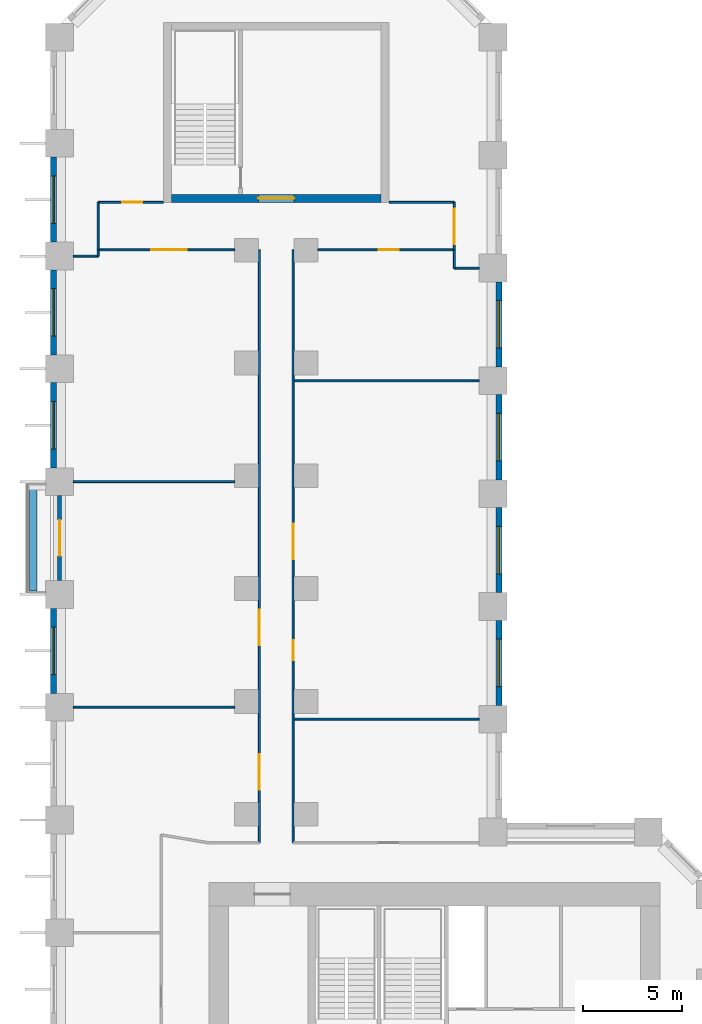
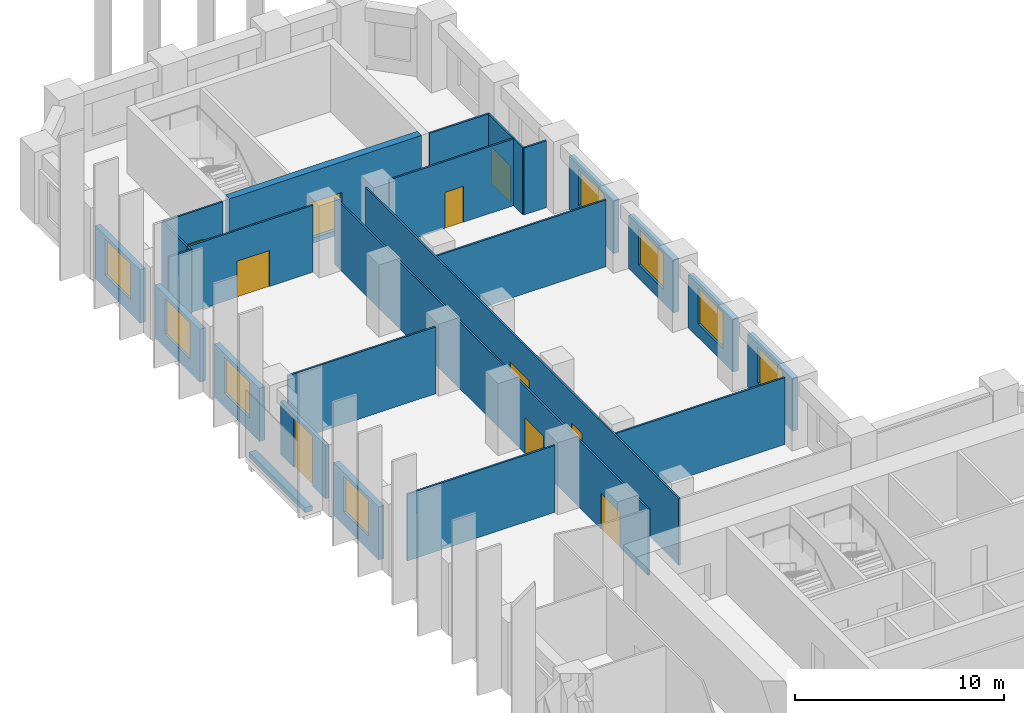
# One storey, part 9 of 12: 27 walls, 10 doors, 8 windows, 18 openings.
"""IFC4 building model written with IfcOpenShell, lengths in metres."""

from ifc_helpers import new_model, si_unit, direction, frame, frame_2d, origin, place, context, subcontext, project, spatial, rectangle, extrude, material, layer, layer_set, type_object, element, fill, save


model = new_model("IFC4")

# Units and contexts
model_context = context("Model", 3, precision=1e-05, world=origin(), true_north=direction((0.0, 1.0)))
body_context = subcontext(model_context, "Body", "Model", "MODEL_VIEW")
ifc_project = project(units=[si_unit("LENGTHUNIT", "METRE"), si_unit("AREAUNIT", "SQUARE_METRE"), si_unit("VOLUMEUNIT", "CUBIC_METRE"), si_unit("PLANEANGLEUNIT", "RADIAN"), si_unit("MASSUNIT", "GRAM", prefix="KILO")], contexts=[model_context])

# Site, building, storey
site_placement = place(None, origin())
site = spatial("IfcSite", under=ifc_project, at=site_placement, CompositionType="ELEMENT")
building_placement = place(site_placement, origin())
building = spatial("IfcBuilding", under=site, at=building_placement, Name="Meshkara Civic Tower", CompositionType="ELEMENT")
storey_placement = place(building_placement, frame((0.0, 0.0, 83.39990234375)))
storey = spatial("IfcBuildingStorey", under=building, at=storey_placement, Name="L18", CompositionType="ELEMENT", Elevation=83.39990234375)

# Wall, opening, door
ifc_material_1 = material(Name="Corridor wall 100")
ifc_layer_1 = layer(ifc_material_1, 0.10009765625)
ifc_layer_set_1 = layer_set([ifc_layer_1], Name="Corridor wall 100")
wall_type_1 = type_object("IfcWallType", Name="Corridor wall 100", PredefinedType="PARTITIONING", material=ifc_layer_set_1)
wall_1_placement = place(storey_placement, frame((2.39990234375, 68.8701171875, 0.0), z_axis=(0.0, 0.0, 1.0), x_axis=(1.0, 0.0, 0.0)))
wall_1 = element("IfcWall", 1, at=wall_1_placement, inside=storey, type_object=wall_type_1, Name="L18-W001", PredefinedType="PARTITIONING", context=body_context, shape_type="SweptSolid", body=[
    extrude(rectangle(XDim=6.900146484375, YDim=0.10009765625, at=frame_2d((3.4501953125, 0.0))), origin(), (0.0, 0.0, 1.0), 3.900146484375),
])
opening_1_placement = place(wall_1_placement, frame((2.679931640625, 0.0, 0.0)))
opening_1 = element("IfcOpeningElement", 2, at=opening_1_placement, cuts=wall_1, Name="Opening L18-D026", PredefinedType="OPENING", context=body_context, shape_type="SweptSolid", body=[
    extrude(rectangle(XDim=1.800048828125, YDim=2.10009765625, at=frame_2d((0.89990234375, 1.050048828125))), frame((0.0, 0.06005859375, 0.0), z_axis=(0.0, -1.0, 0.0), x_axis=(1.0, 0.0, 0.0)), (0.0, 0.0, 1.0), 0.1201171875),
])
ifc_material_2 = material(Name="Door pair 1800 x 2100")
door_type_1 = type_object("IfcDoorType", Name="Door pair 1800 x 2100", OperationType="SINGLE_SWING_LEFT", PredefinedType="DOOR", material=ifc_material_2)
door_1_placement = place(opening_1_placement, origin())
door_1 = element("IfcDoor", 3, at=door_1_placement, inside=storey, type_object=door_type_1, Name="L18-D026", OperationType="DOUBLE_DOOR_SINGLE_SWING", OverallHeight=2.10009765625, OverallWidth=1.800048828125, PredefinedType="DOOR", context=body_context, shape_type="SweptSolid", body=[
    extrude(rectangle(XDim=1.800048828125, YDim=2.10009765625, at=frame_2d((0.89990234375, 1.050048828125))), frame((0.0, 0.02490234375, 0.0), z_axis=(0.0, -1.0, 0.0), x_axis=(1.0, 0.0, 0.0)), (0.0, 0.0, 1.0), 0.050048828125),
])
fill(opening_1, door_1)

# Wall
wall_2_placement = place(storey_placement, frame((2.39990234375, 71.27001953125, 0.0), z_axis=(0.0, 0.0, 1.0), x_axis=(0.0, -1.0, 0.0)))
element("IfcWall", 4, at=wall_2_placement, inside=storey, type_object=wall_type_1, Name="L18-W002", PredefinedType="PARTITIONING", context=body_context, shape_type="SweptSolid", body=[
    extrude(rectangle(XDim=2.39990234375, YDim=0.10009765625, at=frame_2d((1.199951171875, 0.0))), origin(), (0.0, 0.0, 1.0), 3.900146484375),
])

# Wall, opening, door
wall_3_placement = place(storey_placement, frame((5.699951171875, 71.27001953125, 0.0), z_axis=(0.0, 0.0, 1.0), x_axis=(-1.0, 0.0, 0.0)))
wall_3 = element("IfcWall", 5, at=wall_3_placement, inside=storey, type_object=wall_type_1, Name="L18-W005", PredefinedType="PARTITIONING", context=body_context, shape_type="SweptSolid", body=[
    extrude(rectangle(XDim=3.300048828125, YDim=0.10009765625, at=frame_2d((1.64990234375, 0.0))), origin(), (0.0, 0.0, 1.0), 3.900146484375),
])
opening_2_placement = place(wall_3_placement, frame((1.080078125, 0.0, 0.0)))
opening_2 = element("IfcOpeningElement", 6, at=opening_2_placement, cuts=wall_3, Name="Opening L18-D025", PredefinedType="OPENING", context=body_context, shape_type="SweptSolid", body=[
    extrude(rectangle(XDim=1.0, YDim=2.10009765625, at=frame_2d((0.5, 1.050048828125))), frame((0.0, 0.06005859375, 0.0), z_axis=(0.0, -1.0, 0.0), x_axis=(1.0, 0.0, 0.0)), (0.0, 0.0, 1.0), 0.1201171875),
])
ifc_material_3 = material(Name="Door 1000 x 2100")
door_type_2 = type_object("IfcDoorType", Name="Door 1000 x 2100", OperationType="SINGLE_SWING_LEFT", PredefinedType="DOOR", material=ifc_material_3)
door_2_placement = place(opening_2_placement, origin())
door_2 = element("IfcDoor", 7, at=door_2_placement, inside=storey, type_object=door_type_2, Name="L18-D025", OperationType="SINGLE_SWING_RIGHT", OverallHeight=2.10009765625, OverallWidth=1.0, PredefinedType="DOOR", context=body_context, shape_type="SweptSolid", body=[
    extrude(rectangle(XDim=1.0, YDim=2.10009765625, at=frame_2d((0.5, 1.050048828125))), frame((0.0, 0.02490234375, 0.0), z_axis=(0.0, -1.0, 0.0), x_axis=(1.0, 0.0, 0.0)), (0.0, 0.0, 1.0), 0.050048828125),
])
fill(opening_2, door_2)

# Wall, openings, doors
wall_4_placement = place(storey_placement, frame((10.550048828125, 68.8701171875, 0.0), z_axis=(0.0, 0.0, 1.0), x_axis=(0.0, -1.0, 0.0)))
wall_4 = element("IfcWall", 8, at=wall_4_placement, inside=storey, type_object=wall_type_1, Name="L18-W013", PredefinedType="PARTITIONING", context=body_context, shape_type="SweptSolid", body=[
    extrude(rectangle(XDim=29.97021484375, YDim=0.10009765625, at=frame_2d((14.985107421875, 0.0))), origin(), (0.0, 0.0, 1.0), 3.900146484375),
])
opening_3_placement = place(wall_4_placement, frame((25.4951171875, 0.0, 0.0)))
opening_3 = element("IfcOpeningElement", 9, at=opening_3_placement, cuts=wall_4, Name="Opening L18-D021", PredefinedType="OPENING", context=body_context, shape_type="SweptSolid", body=[
    extrude(rectangle(XDim=1.800048828125, YDim=2.10009765625, at=frame_2d((0.89990234375, 1.050048828125))), frame((0.0, 0.06005859375, 0.0), z_axis=(0.0, -1.0, 0.0), x_axis=(1.0, 0.0, 0.0)), (0.0, 0.0, 1.0), 0.1201171875),
])
opening_4_placement = place(wall_4_placement, frame((18.195068359375, 0.0, 0.0)))
opening_4 = element("IfcOpeningElement", 10, at=opening_4_placement, cuts=wall_4, Name="Opening L18-D022", PredefinedType="OPENING", context=body_context, shape_type="SweptSolid", body=[
    extrude(rectangle(XDim=1.800048828125, YDim=2.10009765625, at=frame_2d((0.89990234375, 1.050048828125))), frame((0.0, 0.06005859375, 0.0), z_axis=(0.0, -1.0, 0.0), x_axis=(1.0, 0.0, 0.0)), (0.0, 0.0, 1.0), 0.1201171875),
])
door_3_placement = place(opening_3_placement, origin())
door_3 = element("IfcDoor", 11, at=door_3_placement, inside=storey, type_object=door_type_1, Name="L18-D021", OperationType="DOUBLE_DOOR_SINGLE_SWING", OverallHeight=2.10009765625, OverallWidth=1.800048828125, PredefinedType="DOOR", context=body_context, shape_type="SweptSolid", body=[
    extrude(rectangle(XDim=1.800048828125, YDim=2.10009765625, at=frame_2d((0.89990234375, 1.050048828125))), frame((0.0, 0.02490234375, 0.0), z_axis=(0.0, -1.0, 0.0), x_axis=(1.0, 0.0, 0.0)), (0.0, 0.0, 1.0), 0.050048828125),
])
fill(opening_3, door_3)
door_4_placement = place(opening_4_placement, origin())
door_4 = element("IfcDoor", 12, at=door_4_placement, inside=storey, type_object=door_type_1, Name="L18-D022", OperationType="DOUBLE_DOOR_SINGLE_SWING", OverallHeight=2.10009765625, OverallWidth=1.800048828125, PredefinedType="DOOR", context=body_context, shape_type="SweptSolid", body=[
    extrude(rectangle(XDim=1.800048828125, YDim=2.10009765625, at=frame_2d((0.89990234375, 1.050048828125))), frame((0.0, 0.02490234375, 0.0), z_axis=(0.0, -1.0, 0.0), x_axis=(1.0, 0.0, 0.0)), (0.0, 0.0, 1.0), 0.050048828125),
])
fill(opening_4, door_4)

wall_5_placement = place(storey_placement, frame((12.25, 38.89990234375, 0.0), z_axis=(0.0, 0.0, 1.0), x_axis=(0.0, 1.0, 0.0)))
wall_5 = element("IfcWall", 13, at=wall_5_placement, inside=storey, type_object=wall_type_1, Name="L18-W014", PredefinedType="PARTITIONING", context=body_context, shape_type="SweptSolid", body=[
    extrude(rectangle(XDim=29.97021484375, YDim=0.10009765625, at=frame_2d((14.985107421875, 0.0))), origin(), (0.0, 0.0, 1.0), 3.900146484375),
])
opening_5_placement = place(wall_5_placement, frame((9.22998046875, 0.0, 0.0)))
opening_5 = element("IfcOpeningElement", 14, at=opening_5_placement, cuts=wall_5, Name="Opening L18-D023", PredefinedType="OPENING", context=body_context, shape_type="SweptSolid", body=[
    extrude(rectangle(XDim=1.0, YDim=2.10009765625, at=frame_2d((0.5, 1.050048828125))), frame((0.0, 0.06005859375, 0.0), z_axis=(0.0, -1.0, 0.0), x_axis=(1.0, 0.0, 0.0)), (0.0, 0.0, 1.0), 0.1201171875),
])
opening_6_placement = place(wall_5_placement, frame((14.330078125, 0.0, 0.0)))
opening_6 = element("IfcOpeningElement", 15, at=opening_6_placement, cuts=wall_5, Name="Opening L18-D024", PredefinedType="OPENING", context=body_context, shape_type="SweptSolid", body=[
    extrude(rectangle(XDim=1.800048828125, YDim=2.10009765625, at=frame_2d((0.89990234375, 1.050048828125))), frame((0.0, 0.06005859375, 0.0), z_axis=(0.0, -1.0, 0.0), x_axis=(1.0, 0.0, 0.0)), (0.0, 0.0, 1.0), 0.1201171875),
])
door_5_placement = place(opening_5_placement, origin())
door_5 = element("IfcDoor", 16, at=door_5_placement, inside=storey, type_object=door_type_2, Name="L18-D023", OperationType="SINGLE_SWING_RIGHT", OverallHeight=2.10009765625, OverallWidth=1.0, PredefinedType="DOOR", context=body_context, shape_type="SweptSolid", body=[
    extrude(rectangle(XDim=1.0, YDim=2.10009765625, at=frame_2d((0.5, 1.050048828125))), frame((0.0, 0.02490234375, 0.0), z_axis=(0.0, -1.0, 0.0), x_axis=(1.0, 0.0, 0.0)), (0.0, 0.0, 1.0), 0.050048828125),
])
fill(opening_5, door_5)
door_6_placement = place(opening_6_placement, origin())
door_6 = element("IfcDoor", 17, at=door_6_placement, inside=storey, type_object=door_type_1, Name="L18-D024", OperationType="DOUBLE_DOOR_SINGLE_SWING", OverallHeight=2.10009765625, OverallWidth=1.800048828125, PredefinedType="DOOR", context=body_context, shape_type="SweptSolid", body=[
    extrude(rectangle(XDim=1.800048828125, YDim=2.10009765625, at=frame_2d((0.89990234375, 1.050048828125))), frame((0.0, 0.02490234375, 0.0), z_axis=(0.0, -1.0, 0.0), x_axis=(1.0, 0.0, 0.0)), (0.0, 0.0, 1.0), 0.050048828125),
])
fill(opening_6, door_6)

# Wall, opening, door
wall_6_placement = place(storey_placement, frame((13.5, 68.8701171875, 0.0), z_axis=(0.0, 0.0, 1.0), x_axis=(1.0, 0.0, 0.0)))
wall_6 = element("IfcWall", 18, at=wall_6_placement, inside=storey, type_object=wall_type_1, Name="L18-W016", PredefinedType="PARTITIONING", context=body_context, shape_type="SweptSolid", body=[
    extrude(rectangle(XDim=6.89990234375, YDim=0.10009765625, at=frame_2d((3.449951171875, 0.0))), origin(), (0.0, 0.0, 1.0), 3.900146484375),
])
opening_7_placement = place(wall_6_placement, frame((3.080078125, 0.0, 0.0)))
opening_7 = element("IfcOpeningElement", 19, at=opening_7_placement, cuts=wall_6, Name="Opening L18-D027", PredefinedType="OPENING", context=body_context, shape_type="SweptSolid", body=[
    extrude(rectangle(XDim=1.0, YDim=2.10009765625, at=frame_2d((0.5, 1.050048828125))), frame((0.0, 0.06005859375, 0.0), z_axis=(0.0, -1.0, 0.0), x_axis=(1.0, 0.0, 0.0)), (0.0, 0.0, 1.0), 0.1201171875),
])
door_7_placement = place(opening_7_placement, origin())
door_7 = element("IfcDoor", 20, at=door_7_placement, inside=storey, type_object=door_type_2, Name="L18-D027", OperationType="SINGLE_SWING_LEFT", OverallHeight=2.10009765625, OverallWidth=1.0, PredefinedType="DOOR", context=body_context, shape_type="SweptSolid", body=[
    extrude(rectangle(XDim=1.0, YDim=2.10009765625, at=frame_2d((0.5, 1.050048828125))), frame((0.0, 0.02490234375, 0.0), z_axis=(0.0, -1.0, 0.0), x_axis=(1.0, 0.0, 0.0)), (0.0, 0.0, 1.0), 0.050048828125),
])
fill(opening_7, door_7)

wall_7_placement = place(storey_placement, frame((20.39990234375, 68.8701171875, 0.0), z_axis=(0.0, 0.0, 1.0), x_axis=(0.0, 1.0, 0.0)))
wall_7 = element("IfcWall", 21, at=wall_7_placement, inside=storey, type_object=wall_type_1, Name="L18-W017", PredefinedType="PARTITIONING", context=body_context, shape_type="SweptSolid", body=[
    extrude(rectangle(XDim=2.39990234375, YDim=0.10009765625, at=frame_2d((1.199951171875, 0.0))), origin(), (0.0, 0.0, 1.0), 3.900146484375),
])
opening_8_placement = place(wall_7_placement, frame((0.280029296875, 0.0, 0.0)))
opening_8 = element("IfcOpeningElement", 22, at=opening_8_placement, cuts=wall_7, Name="Opening L18-D028", PredefinedType="OPENING", context=body_context, shape_type="SweptSolid", body=[
    extrude(rectangle(XDim=1.800048828125, YDim=2.10009765625, at=frame_2d((0.89990234375, 1.050048828125))), frame((0.0, 0.06005859375, 0.0), z_axis=(0.0, -1.0, 0.0), x_axis=(1.0, 0.0, 0.0)), (0.0, 0.0, 1.0), 0.1201171875),
])
door_8_placement = place(opening_8_placement, origin())
door_8 = element("IfcDoor", 23, at=door_8_placement, inside=storey, type_object=door_type_1, Name="L18-D028", OperationType="DOUBLE_DOOR_SINGLE_SWING", OverallHeight=2.10009765625, OverallWidth=1.800048828125, PredefinedType="DOOR", context=body_context, shape_type="SweptSolid", body=[
    extrude(rectangle(XDim=1.800048828125, YDim=2.10009765625, at=frame_2d((0.89990234375, 1.050048828125))), frame((0.0, 0.02490234375, 0.0), z_axis=(0.0, -1.0, 0.0), x_axis=(1.0, 0.0, 0.0)), (0.0, 0.0, 1.0), 0.050048828125),
])
fill(opening_8, door_8)

# Wall
wall_8_placement = place(storey_placement, frame((20.39990234375, 71.27001953125, 0.0), z_axis=(0.0, 0.0, 1.0), x_axis=(-1.0, 0.0, 0.0)))
element("IfcWall", 24, at=wall_8_placement, inside=storey, type_object=wall_type_1, Name="L18-W018", PredefinedType="PARTITIONING", context=body_context, shape_type="SweptSolid", body=[
    extrude(rectangle(XDim=3.2998046875, YDim=0.10009765625, at=frame_2d((1.64990234375, 0.0))), origin(), (0.0, 0.0, 1.0), 3.900146484375),
])

# Wall, opening, window
ifc_material_4 = material(Name="Insulated infill panel with bronze anodised aluminium cladding", Category="aluminium")
ifc_layer_2 = layer(ifc_material_4, 0.300048828125)
ifc_layer_set_2 = layer_set([ifc_layer_2], Name="EXTERNAL INFILL WALL 300")
wall_type_2 = type_object("IfcWallType", Name="EXTERNAL INFILL WALL 300", PredefinedType="SOLIDWALL", material=ifc_layer_set_2)
wall_9_placement = place(storey_placement, frame((22.64990234375, 45.85009765625, 0.0), z_axis=(0.0, 0.0, 1.0), x_axis=(0.0, 1.0, 0.0)))
wall_9 = element("IfcWall", 25, at=wall_9_placement, inside=storey, type_object=wall_type_2, Name="External wall", PredefinedType="SOLIDWALL", context=body_context, shape_type="SweptSolid", body=[
    extrude(rectangle(XDim=4.2998046875, YDim=0.300048828125, at=frame_2d((2.14990234375, 0.0))), origin(), (0.0, 0.0, 1.0), 3.10009765625),
])
opening_9_placement = place(wall_9_placement, frame((0.949951171875, 0.0, 0.800048828125)))
opening_9 = element("IfcOpeningElement", 26, at=opening_9_placement, cuts=wall_9, Name="Opening W7", PredefinedType="OPENING", context=body_context, shape_type="SweptSolid", body=[
    extrude(rectangle(XDim=2.39990234375, YDim=2.10009765625, at=frame_2d((1.199951171875, 1.050048828125))), frame((0.0, 0.159912109375, 0.0), z_axis=(0.0, -1.0, 0.0), x_axis=(1.0, 0.0, 0.0)), (0.0, 0.0, 1.0), 0.320068359375),
])
ifc_material_5 = material(Name="Tinted double glazing", Category="glass")
window_type = type_object("IfcWindowType", Name="WINDOW 2400x2100", PartitioningType="DOUBLE_PANEL_VERTICAL", PredefinedType="WINDOW", material=ifc_material_5)
window_1_placement = place(opening_9_placement, origin())
window_1 = element("IfcWindow", 27, at=window_1_placement, inside=storey, type_object=window_type, Name="Window", OverallHeight=2.10009765625, OverallWidth=2.39990234375, PartitioningType="DOUBLE_PANEL_VERTICAL", PredefinedType="WINDOW", context=body_context, shape_type="SweptSolid", body=[
    extrude(rectangle(XDim=2.39990234375, YDim=2.10009765625, at=frame_2d((1.199951171875, 1.050048828125))), frame((0.0, 0.030029296875, 0.0), z_axis=(0.0, -1.0, 0.0), x_axis=(1.0, 0.0, 0.0)), (0.0, 0.0, 1.0), 0.06005859375),
])
fill(opening_9, window_1)

wall_10_placement = place(storey_placement, frame((22.64990234375, 51.550048828125, 0.0), z_axis=(0.0, 0.0, 1.0), x_axis=(0.0, 1.0, 0.0)))
wall_10 = element("IfcWall", 28, at=wall_10_placement, inside=storey, type_object=wall_type_2, Name="External wall", PredefinedType="SOLIDWALL", context=body_context, shape_type="SweptSolid", body=[
    extrude(rectangle(XDim=4.300048828125, YDim=0.300048828125, at=frame_2d((2.14990234375, 0.0))), origin(), (0.0, 0.0, 1.0), 3.10009765625),
])
opening_10_placement = place(wall_10_placement, frame((0.949951171875, 0.0, 0.800048828125)))
opening_10 = element("IfcOpeningElement", 29, at=opening_10_placement, cuts=wall_10, Name="Opening W7", PredefinedType="OPENING", context=body_context, shape_type="SweptSolid", body=[
    extrude(rectangle(XDim=2.39990234375, YDim=2.10009765625, at=frame_2d((1.199951171875, 1.050048828125))), frame((0.0, 0.159912109375, 0.0), z_axis=(0.0, -1.0, 0.0), x_axis=(1.0, 0.0, 0.0)), (0.0, 0.0, 1.0), 0.320068359375),
])
window_2_placement = place(opening_10_placement, origin())
window_2 = element("IfcWindow", 30, at=window_2_placement, inside=storey, type_object=window_type, Name="Window", OverallHeight=2.10009765625, OverallWidth=2.39990234375, PartitioningType="DOUBLE_PANEL_VERTICAL", PredefinedType="WINDOW", context=body_context, shape_type="SweptSolid", body=[
    extrude(rectangle(XDim=2.39990234375, YDim=2.10009765625, at=frame_2d((1.199951171875, 1.050048828125))), frame((0.0, 0.030029296875, 0.0), z_axis=(0.0, -1.0, 0.0), x_axis=(1.0, 0.0, 0.0)), (0.0, 0.0, 1.0), 0.06005859375),
])
fill(opening_10, window_2)

wall_11_placement = place(storey_placement, frame((22.64990234375, 57.25, 0.0), z_axis=(0.0, 0.0, 1.0), x_axis=(0.0, 1.0, 0.0)))
wall_11 = element("IfcWall", 31, at=wall_11_placement, inside=storey, type_object=wall_type_2, Name="External wall", PredefinedType="SOLIDWALL", context=body_context, shape_type="SweptSolid", body=[
    extrude(rectangle(XDim=4.300048828125, YDim=0.300048828125, at=frame_2d((2.14990234375, 0.0))), origin(), (0.0, 0.0, 1.0), 3.10009765625),
])
opening_11_placement = place(wall_11_placement, frame((0.949951171875, 0.0, 0.800048828125)))
opening_11 = element("IfcOpeningElement", 32, at=opening_11_placement, cuts=wall_11, Name="Opening W7", PredefinedType="OPENING", context=body_context, shape_type="SweptSolid", body=[
    extrude(rectangle(XDim=2.39990234375, YDim=2.10009765625, at=frame_2d((1.199951171875, 1.050048828125))), frame((0.0, 0.159912109375, 0.0), z_axis=(0.0, -1.0, 0.0), x_axis=(1.0, 0.0, 0.0)), (0.0, 0.0, 1.0), 0.320068359375),
])
window_3_placement = place(opening_11_placement, origin())
window_3 = element("IfcWindow", 33, at=window_3_placement, inside=storey, type_object=window_type, Name="Window", OverallHeight=2.10009765625, OverallWidth=2.39990234375, PartitioningType="DOUBLE_PANEL_VERTICAL", PredefinedType="WINDOW", context=body_context, shape_type="SweptSolid", body=[
    extrude(rectangle(XDim=2.39990234375, YDim=2.10009765625, at=frame_2d((1.199951171875, 1.050048828125))), frame((0.0, 0.030029296875, 0.0), z_axis=(0.0, -1.0, 0.0), x_axis=(1.0, 0.0, 0.0)), (0.0, 0.0, 1.0), 0.06005859375),
])
fill(opening_11, window_3)

wall_12_placement = place(storey_placement, frame((22.64990234375, 62.949951171875, 0.0), z_axis=(0.0, 0.0, 1.0), x_axis=(0.0, 1.0, 0.0)))
wall_12 = element("IfcWall", 34, at=wall_12_placement, inside=storey, type_object=wall_type_2, Name="External wall", PredefinedType="SOLIDWALL", context=body_context, shape_type="SweptSolid", body=[
    extrude(rectangle(XDim=4.300048828125, YDim=0.300048828125, at=frame_2d((2.14990234375, 0.0))), origin(), (0.0, 0.0, 1.0), 3.10009765625),
])
opening_12_placement = place(wall_12_placement, frame((0.949951171875, 0.0, 0.800048828125)))
opening_12 = element("IfcOpeningElement", 35, at=opening_12_placement, cuts=wall_12, Name="Opening W7", PredefinedType="OPENING", context=body_context, shape_type="SweptSolid", body=[
    extrude(rectangle(XDim=2.39990234375, YDim=2.10009765625, at=frame_2d((1.199951171875, 1.050048828125))), frame((0.0, 0.159912109375, 0.0), z_axis=(0.0, -1.0, 0.0), x_axis=(1.0, 0.0, 0.0)), (0.0, 0.0, 1.0), 0.320068359375),
])
window_4_placement = place(opening_12_placement, origin())
window_4 = element("IfcWindow", 36, at=window_4_placement, inside=storey, type_object=window_type, Name="Window", OverallHeight=2.10009765625, OverallWidth=2.39990234375, PartitioningType="DOUBLE_PANEL_VERTICAL", PredefinedType="WINDOW", context=body_context, shape_type="SweptSolid", body=[
    extrude(rectangle(XDim=2.39990234375, YDim=2.10009765625, at=frame_2d((1.199951171875, 1.050048828125))), frame((0.0, 0.030029296875, 0.0), z_axis=(0.0, -1.0, 0.0), x_axis=(1.0, 0.0, 0.0)), (0.0, 0.0, 1.0), 0.06005859375),
])
fill(opening_12, window_4)

wall_13_placement = place(storey_placement, frame((0.14990234375, 73.554931640625, 0.0), z_axis=(0.0, 0.0, 1.0), x_axis=(0.0, -1.0, 0.0)))
wall_13 = element("IfcWall", 37, at=wall_13_placement, inside=storey, type_object=wall_type_2, Name="External wall", PredefinedType="SOLIDWALL", context=body_context, shape_type="SweptSolid", body=[
    extrude(rectangle(XDim=4.300048828125, YDim=0.300048828125, at=frame_2d((2.14990234375, 0.0))), origin(), (0.0, 0.0, 1.0), 3.10009765625),
])
opening_13_placement = place(wall_13_placement, frame((0.949951171875, 0.0, 0.800048828125)))
opening_13 = element("IfcOpeningElement", 38, at=opening_13_placement, cuts=wall_13, Name="Opening W7", PredefinedType="OPENING", context=body_context, shape_type="SweptSolid", body=[
    extrude(rectangle(XDim=2.39990234375, YDim=2.10009765625, at=frame_2d((1.199951171875, 1.050048828125))), frame((0.0, 0.159912109375, 0.0), z_axis=(0.0, -1.0, 0.0), x_axis=(1.0, 0.0, 0.0)), (0.0, 0.0, 1.0), 0.320068359375),
])
window_5_placement = place(opening_13_placement, origin())
window_5 = element("IfcWindow", 39, at=window_5_placement, inside=storey, type_object=window_type, Name="Window", OverallHeight=2.10009765625, OverallWidth=2.39990234375, PartitioningType="DOUBLE_PANEL_VERTICAL", PredefinedType="WINDOW", context=body_context, shape_type="SweptSolid", body=[
    extrude(rectangle(XDim=2.39990234375, YDim=2.10009765625, at=frame_2d((1.199951171875, 1.050048828125))), frame((0.0, 0.030029296875, 0.0), z_axis=(0.0, -1.0, 0.0), x_axis=(1.0, 0.0, 0.0)), (0.0, 0.0, 1.0), 0.06005859375),
])
fill(opening_13, window_5)

wall_14_placement = place(storey_placement, frame((0.14990234375, 67.85498046875, 0.0), z_axis=(0.0, 0.0, 1.0), x_axis=(0.0, -1.0, 0.0)))
wall_14 = element("IfcWall", 40, at=wall_14_placement, inside=storey, type_object=wall_type_2, Name="External wall", PredefinedType="SOLIDWALL", context=body_context, shape_type="SweptSolid", body=[
    extrude(rectangle(XDim=4.300048828125, YDim=0.300048828125, at=frame_2d((2.14990234375, 0.0))), origin(), (0.0, 0.0, 1.0), 3.10009765625),
])
opening_14_placement = place(wall_14_placement, frame((0.949951171875, 0.0, 0.800048828125)))
opening_14 = element("IfcOpeningElement", 41, at=opening_14_placement, cuts=wall_14, Name="Opening W7", PredefinedType="OPENING", context=body_context, shape_type="SweptSolid", body=[
    extrude(rectangle(XDim=2.39990234375, YDim=2.10009765625, at=frame_2d((1.199951171875, 1.050048828125))), frame((0.0, 0.159912109375, 0.0), z_axis=(0.0, -1.0, 0.0), x_axis=(1.0, 0.0, 0.0)), (0.0, 0.0, 1.0), 0.320068359375),
])
window_6_placement = place(opening_14_placement, origin())
window_6 = element("IfcWindow", 42, at=window_6_placement, inside=storey, type_object=window_type, Name="Window", OverallHeight=2.10009765625, OverallWidth=2.39990234375, PartitioningType="DOUBLE_PANEL_VERTICAL", PredefinedType="WINDOW", context=body_context, shape_type="SweptSolid", body=[
    extrude(rectangle(XDim=2.39990234375, YDim=2.10009765625, at=frame_2d((1.199951171875, 1.050048828125))), frame((0.0, 0.030029296875, 0.0), z_axis=(0.0, -1.0, 0.0), x_axis=(1.0, 0.0, 0.0)), (0.0, 0.0, 1.0), 0.06005859375),
])
fill(opening_14, window_6)

wall_15_placement = place(storey_placement, frame((0.14990234375, 62.155029296875, 0.0), z_axis=(0.0, 0.0, 1.0), x_axis=(0.0, -1.0, 0.0)))
wall_15 = element("IfcWall", 43, at=wall_15_placement, inside=storey, type_object=wall_type_2, Name="External wall", PredefinedType="SOLIDWALL", context=body_context, shape_type="SweptSolid", body=[
    extrude(rectangle(XDim=4.300048828125, YDim=0.300048828125, at=frame_2d((2.14990234375, 0.0))), origin(), (0.0, 0.0, 1.0), 3.10009765625),
])
opening_15_placement = place(wall_15_placement, frame((0.949951171875, 0.0, 0.800048828125)))
opening_15 = element("IfcOpeningElement", 44, at=opening_15_placement, cuts=wall_15, Name="Opening W7", PredefinedType="OPENING", context=body_context, shape_type="SweptSolid", body=[
    extrude(rectangle(XDim=2.39990234375, YDim=2.10009765625, at=frame_2d((1.199951171875, 1.050048828125))), frame((0.0, 0.159912109375, 0.0), z_axis=(0.0, -1.0, 0.0), x_axis=(1.0, 0.0, 0.0)), (0.0, 0.0, 1.0), 0.320068359375),
])
window_7_placement = place(opening_15_placement, origin())
window_7 = element("IfcWindow", 45, at=window_7_placement, inside=storey, type_object=window_type, Name="Window", OverallHeight=2.10009765625, OverallWidth=2.39990234375, PartitioningType="DOUBLE_PANEL_VERTICAL", PredefinedType="WINDOW", context=body_context, shape_type="SweptSolid", body=[
    extrude(rectangle(XDim=2.39990234375, YDim=2.10009765625, at=frame_2d((1.199951171875, 1.050048828125))), frame((0.0, 0.030029296875, 0.0), z_axis=(0.0, -1.0, 0.0), x_axis=(1.0, 0.0, 0.0)), (0.0, 0.0, 1.0), 0.06005859375),
])
fill(opening_15, window_7)

wall_16_placement = place(storey_placement, frame((0.14990234375, 50.7548828125, 0.0), z_axis=(0.0, 0.0, 1.0), x_axis=(0.0, -1.0, 0.0)))
wall_16 = element("IfcWall", 46, at=wall_16_placement, inside=storey, type_object=wall_type_2, Name="External wall", PredefinedType="SOLIDWALL", context=body_context, shape_type="SweptSolid", body=[
    extrude(rectangle(XDim=4.2998046875, YDim=0.300048828125, at=frame_2d((2.14990234375, 0.0))), origin(), (0.0, 0.0, 1.0), 3.10009765625),
])
opening_16_placement = place(wall_16_placement, frame((0.949951171875, 0.0, 0.800048828125)))
opening_16 = element("IfcOpeningElement", 47, at=opening_16_placement, cuts=wall_16, Name="Opening W7", PredefinedType="OPENING", context=body_context, shape_type="SweptSolid", body=[
    extrude(rectangle(XDim=2.39990234375, YDim=2.10009765625, at=frame_2d((1.199951171875, 1.050048828125))), frame((0.0, 0.159912109375, 0.0), z_axis=(0.0, -1.0, 0.0), x_axis=(1.0, 0.0, 0.0)), (0.0, 0.0, 1.0), 0.320068359375),
])
window_8_placement = place(opening_16_placement, origin())
window_8 = element("IfcWindow", 48, at=window_8_placement, inside=storey, type_object=window_type, Name="Window", OverallHeight=2.10009765625, OverallWidth=2.39990234375, PartitioningType="DOUBLE_PANEL_VERTICAL", PredefinedType="WINDOW", context=body_context, shape_type="SweptSolid", body=[
    extrude(rectangle(XDim=2.39990234375, YDim=2.10009765625, at=frame_2d((1.199951171875, 1.050048828125))), frame((0.0, 0.030029296875, 0.0), z_axis=(0.0, -1.0, 0.0), x_axis=(1.0, 0.0, 0.0)), (0.0, 0.0, 1.0), 0.06005859375),
])
fill(opening_16, window_8)

# Wall, opening, door
ifc_material_6 = material(Name="Concrete C80", Category="concrete")
ifc_layer_3 = layer(ifc_material_6, 0.39990234375)
ifc_layer_set_3 = layer_set([ifc_layer_3], Name="End core ring wall 400 C80")
wall_type_3 = type_object("IfcWallType", Name="End core ring wall 400 C80", PredefinedType="SHEAR", material=ifc_layer_set_3)
wall_17_placement = place(storey_placement, frame((6.10009765625, 71.469970703125, -0.2998046875), z_axis=(0.0, 0.0, 1.0), x_axis=(1.0, 0.0, 0.0)))
wall_17 = element("IfcWall", 49, at=wall_17_placement, inside=storey, type_object=wall_type_3, Name="L18-C028", PredefinedType="SHEAR", context=body_context, shape_type="SweptSolid", body=[
    extrude(rectangle(XDim=10.599853515625, YDim=0.39990234375, at=frame_2d((5.2998046875, 0.0))), origin(), (0.0, 0.0, 1.0), 4.199951171875),
])
opening_17_placement = place(wall_17_placement, frame((4.39990234375, 0.0, 0.300048828125)))
opening_17 = element("IfcOpeningElement", 50, at=opening_17_placement, cuts=wall_17, Name="Opening L18-K102", PredefinedType="OPENING", context=body_context, shape_type="SweptSolid", body=[
    extrude(rectangle(XDim=1.800048828125, YDim=2.10009765625, at=frame_2d((0.89990234375, 1.050048828125))), frame((0.0, 0.2099609375, 0.0), z_axis=(0.0, -1.0, 0.0), x_axis=(1.0, 0.0, 0.0)), (0.0, 0.0, 1.0), 0.419921875),
])
ifc_material_7 = material(Name="Fire-rated door leaf in steel frame", Category="steel")
door_type_3 = type_object("IfcDoorType", Name="Core double door 1800 EI 60", OperationType="DOUBLE_DOOR_SINGLE_SWING", PredefinedType="DOOR", material=ifc_material_7)
door_9_placement = place(opening_17_placement, origin())
door_9 = element("IfcDoor", 51, at=door_9_placement, inside=storey, type_object=door_type_3, Name="L18-K102", OperationType="DOUBLE_DOOR_SINGLE_SWING", OverallHeight=2.10009765625, OverallWidth=1.800048828125, PredefinedType="DOOR", context=body_context, shape_type="SweptSolid", body=[
    extrude(rectangle(XDim=1.800048828125, YDim=2.10009765625, at=frame_2d((0.89990234375, 1.050048828125))), frame((0.0, 0.02490234375, 0.0), z_axis=(0.0, -1.0, 0.0), x_axis=(1.0, 0.0, 0.0)), (0.0, 0.0, 1.0), 0.050048828125),
])
fill(opening_17, door_9)

ifc_material_8 = material(Name="Insulated infill panel with bronze anodised aluminium cladding", Category="aluminium")
ifc_layer_4 = layer(ifc_material_8, 0.199951171875)
ifc_layer_set_4 = layer_set([ifc_layer_4], Name="LOGGIA BACK WALL 200")
wall_type_4 = type_object("IfcWallType", Name="LOGGIA BACK WALL 200", PredefinedType="SOLIDWALL", material=ifc_layer_set_4)
wall_18_placement = place(storey_placement, frame((0.449951171875, 56.455078125, 0.0), z_axis=(0.0, 0.0, 1.0), x_axis=(0.0, -1.0, 0.0)))
wall_18 = element("IfcWall", 52, at=wall_18_placement, inside=storey, type_object=wall_type_4, Name="Loggia wall", PredefinedType="SOLIDWALL", context=body_context, shape_type="SweptSolid", body=[
    extrude(rectangle(XDim=4.300048828125, YDim=0.199951171875, at=frame_2d((2.14990234375, 0.0))), origin(), (0.0, 0.0, 1.0), 3.10009765625),
])
opening_18_placement = place(wall_18_placement, frame((1.25, 0.0, 0.0)))
opening_18 = element("IfcOpeningElement", 53, at=opening_18_placement, cuts=wall_18, Name="Opening L18-L001", PredefinedType="OPENING", context=body_context, shape_type="SweptSolid", body=[
    extrude(rectangle(XDim=1.800048828125, YDim=2.89990234375, at=frame_2d((0.89990234375, 1.449951171875))), frame((0.0, 0.10986328125, 0.0), z_axis=(0.0, -1.0, 0.0), x_axis=(1.0, 0.0, 0.0)), (0.0, 0.0, 1.0), 0.219970703125),
])
ifc_material_9 = material(Name="Tinted double glazing", Category="glass")
door_type_4 = type_object("IfcDoorType", Name="LOGGIA DOOR 1800x2900", OperationType="DOUBLE_DOOR_SINGLE_SWING", PredefinedType="DOOR", material=ifc_material_9)
door_10_placement = place(opening_18_placement, origin())
door_10 = element("IfcDoor", 54, at=door_10_placement, inside=storey, type_object=door_type_4, Name="L18-L001", OperationType="DOUBLE_DOOR_SINGLE_SWING", OverallHeight=2.89990234375, OverallWidth=1.800048828125, PredefinedType="DOOR", context=body_context, shape_type="SweptSolid", body=[
    extrude(rectangle(XDim=1.800048828125, YDim=2.89990234375, at=frame_2d((0.89990234375, 1.449951171875))), frame((0.0, 0.02490234375, 0.0), z_axis=(0.0, -1.0, 0.0), x_axis=(1.0, 0.0, 0.0)), (0.0, 0.0, 1.0), 0.050048828125),
])
fill(opening_18, door_10)

# Walls
ifc_material_10 = material(Name="Concrete C40", Category="concrete")
ifc_layer_5 = layer(ifc_material_10, 0.39990234375)
ifc_layer_set_5 = layer_set([ifc_layer_5], Name="PLANTER TRAY")
wall_type_5 = type_object("IfcWallType", Name="PLANTER TRAY", PredefinedType="SOLIDWALL", material=ifc_layer_set_5)
wall_19_placement = place(storey_placement, frame((-0.8798828125, 56.985107421875, 0.0), z_axis=(0.0, 0.0, 1.0), x_axis=(0.0, -1.0, 0.0)))
element("IfcWall", 55, at=wall_19_placement, inside=storey, type_object=wall_type_5, Name="Planter", PredefinedType="SOLIDWALL", context=body_context, shape_type="SweptSolid", body=[
    extrude(rectangle(XDim=5.360107421875, YDim=0.39990234375, at=frame_2d((2.68017578125, 0.0))), origin(), (0.0, 0.0, 1.0), 0.300048828125),
])
ifc_material_11 = material(Name="Partition 100")
ifc_layer_6 = layer(ifc_material_11, 0.10009765625)
ifc_layer_set_6 = layer_set([ifc_layer_6], Name="Partition 100")
wall_type_6 = type_object("IfcWallType", Name="Partition 100", PredefinedType="PARTITIONING", material=ifc_layer_set_6)
wall_20_placement = place(storey_placement, frame((2.39990234375, 68.554931640625, 0.0), z_axis=(0.0, 0.0, 1.0), x_axis=(-1.0, 0.0, 0.0)))
element("IfcWall", 56, at=wall_20_placement, inside=storey, type_object=wall_type_6, Name="L18-W030", PredefinedType="PARTITIONING", context=body_context, shape_type="SweptSolid", body=[
    extrude(rectangle(XDim=1.25, YDim=0.10009765625, at=frame_2d((0.625, 0.0))), origin(), (0.0, 0.0, 1.0), 3.900146484375),
])
wall_21_placement = place(storey_placement, frame((2.39990234375, 68.8740234375, 0.0), z_axis=(0.0, 0.0, 1.0), x_axis=(0.0, -1.0, 0.0)))
element("IfcWall", 57, at=wall_21_placement, inside=storey, type_object=wall_type_6, Name="L18-W031", PredefinedType="PARTITIONING", context=body_context, shape_type="SweptSolid", body=[
    extrude(rectangle(XDim=0.319091796875, YDim=0.10009765625, at=frame_2d((0.15966796875, 0.0))), origin(), (0.0, 0.0, 1.0), 3.900146484375),
])
for number, where, z_axis, x_axis, name in (
    (58, (9.300048828125, 45.7548828125, 0.0), (0.0, 0.0, 1.0), (-1.0, 0.0, 0.0), "L18-W036"),
    (59, (9.300048828125, 57.155029296875, 0.0), (0.0, 0.0, 1.0), (-1.0, 0.0, 0.0), "L18-W037"),
):
    element("IfcWall", number, at=place(storey_placement, frame(where, z_axis=z_axis, x_axis=x_axis)), inside=storey, type_object=wall_type_6, Name=name, PredefinedType="PARTITIONING", context=body_context, shape_type="SweptSolid", body=[
        extrude(rectangle(XDim=8.150146484375, YDim=0.10009765625, at=frame_2d((4.0751953125, 0.0))), origin(), (0.0, 0.0, 1.0), 3.900146484375),
    ])
wall_22_placement = place(storey_placement, frame((20.39990234375, 67.949951171875, 0.0), z_axis=(0.0, 0.0, 1.0), x_axis=(0.0, 1.0, 0.0)))
element("IfcWall", 60, at=wall_22_placement, inside=storey, type_object=wall_type_6, Name="L18-W040", PredefinedType="PARTITIONING", context=body_context, shape_type="SweptSolid", body=[
    extrude(rectangle(XDim=0.924072265625, YDim=0.10009765625, at=frame_2d((0.4619140625, 0.0))), origin(), (0.0, 0.0, 1.0), 3.900146484375),
])
for number, where, z_axis, x_axis, name in (
    (61, (21.64990234375, 45.14990234375, 0.0), (0.0, 0.0, 1.0), (-1.0, 0.0, 0.0), "L18-W043"),
    (62, (21.64990234375, 62.25, 0.0), (0.0, 0.0, 1.0), (-1.0, 0.0, 0.0), "L18-W044"),
):
    element("IfcWall", number, at=place(storey_placement, frame(where, z_axis=z_axis, x_axis=x_axis)), inside=storey, type_object=wall_type_6, Name=name, PredefinedType="PARTITIONING", context=body_context, shape_type="SweptSolid", body=[
        extrude(rectangle(XDim=9.349853515625, YDim=0.10009765625, at=frame_2d((4.6748046875, 0.0))), origin(), (0.0, 0.0, 1.0), 3.900146484375),
    ])
wall_23_placement = place(storey_placement, frame((21.64990234375, 67.949951171875, 0.0), z_axis=(0.0, 0.0, 1.0), x_axis=(-1.0, 0.0, 0.0)))
element("IfcWall", 63, at=wall_23_placement, inside=storey, type_object=wall_type_6, Name="L18-W045", PredefinedType="PARTITIONING", context=body_context, shape_type="SweptSolid", body=[
    extrude(rectangle(XDim=1.25, YDim=0.10009765625, at=frame_2d((0.625, 0.0))), origin(), (0.0, 0.0, 1.0), 3.900146484375),
])

save(model, "model.ifc")
